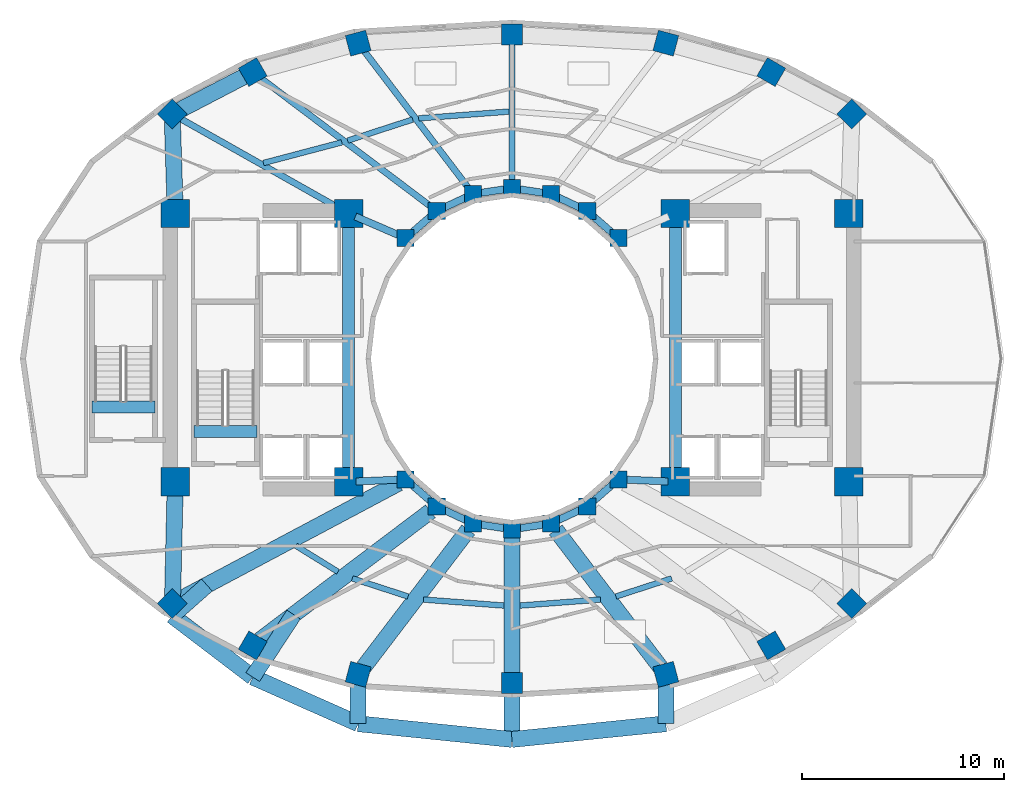
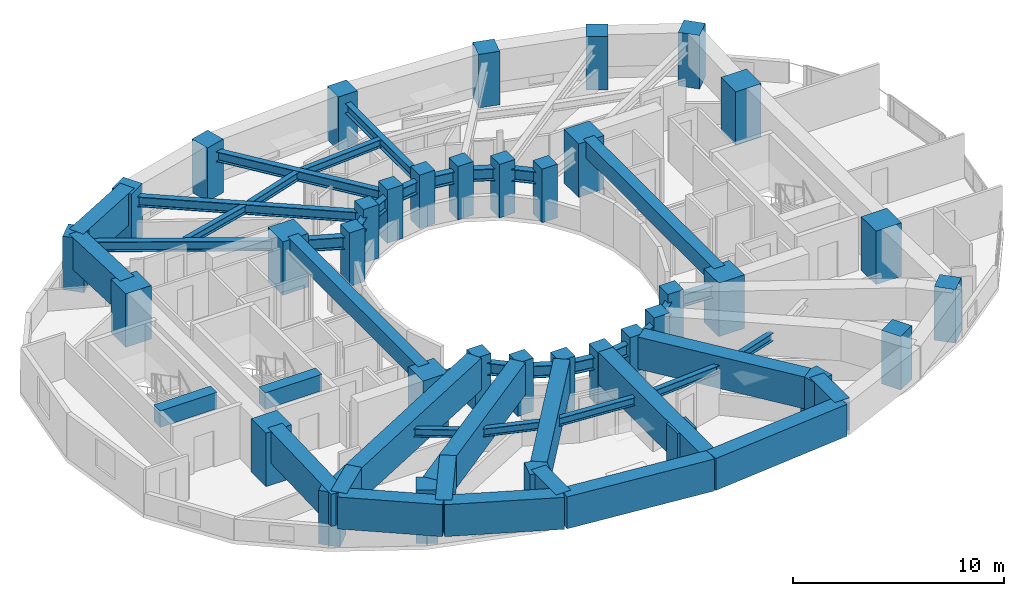
# One storey, part 1 of 14: 47 beams, 36 columns.
"""IFC4 building model written with IfcOpenShell, lengths in metres."""

from ifc_helpers import new_model, si_unit, direction, frame, origin, origin_2d, place, context, subcontext, project, spatial, rectangle, i_section, extrude, material, material_profile, profile_set, type_object, element, save


model = new_model("IFC4")

# Units and contexts
model_context = context("Model", 3, precision=1e-05, world=origin(), true_north=direction((0.0, 1.0)))
body_context = subcontext(model_context, "Body", "Model", "MODEL_VIEW")
ifc_project = project(units=[si_unit("LENGTHUNIT", "METRE"), si_unit("AREAUNIT", "SQUARE_METRE"), si_unit("VOLUMEUNIT", "CUBIC_METRE"), si_unit("PLANEANGLEUNIT", "RADIAN"), si_unit("MASSUNIT", "GRAM", prefix="KILO")], contexts=[model_context])

# Site, building, storey
site_placement = place(None, origin())
site = spatial("IfcSite", under=ifc_project, at=site_placement, CompositionType="ELEMENT")
building_placement = place(site_placement, origin())
building = spatial("IfcBuilding", under=site, at=building_placement, Name="Solvane Sanctuary Tower", CompositionType="ELEMENT")
storey_placement = place(building_placement, frame((0.0, 0.0, 91.800048828125)))
storey = spatial("IfcBuildingStorey", under=building, at=storey_placement, Name="L27", CompositionType="ELEMENT", Elevation=91.800048828125)

# Columns
ifc_material_1 = material(Name="Concrete C70/85", Category="concrete")
ifc_material_profile_1 = material_profile(ifc_material_1, rectangle(XDim=1.39990234375, YDim=1.39990234375, at=origin_2d()), Name="RC1400X1400")
ifc_profile_set_1 = profile_set([ifc_material_profile_1], Name="Concrete C70/85")
column_type_1 = type_object("IfcColumnType", Name="Column C-POD-INT RC1400X1400", PredefinedType="COLUMN", material=ifc_profile_set_1)
for number, where, z_axis, x_axis, name in (
    (1, (15.300048828125, 16.89990234375, 0.0), (0.0, 0.0, 1.0), (1.0, 0.0, 0.0), "L27 Core Corner Column CW1"),
    (2, (23.89990234375, 16.89990234375, 0.0), (0.0, 0.0, 1.0), (1.0, 0.0, 0.0), "L27 Core Corner Column CW2"),
    (3, (23.89990234375, 30.199951171875, 0.0), (0.0, 0.0, 1.0), (1.0, 0.0, 0.0), "L27 Core Corner Column CW3"),
    (4, (15.300048828125, 30.199951171875, 0.0), (0.0, 0.0, 1.0), (1.0, 0.0, 0.0), "L27 Core Corner Column CW4"),
    (5, (40.10009765625, 16.89990234375, 0.0), (0.0, 0.0, 1.0), (1.0, 0.0, 0.0), "L27 Core Corner Column CE1"),
    (6, (48.699951171875, 16.89990234375, 0.0), (0.0, 0.0, 1.0), (1.0, 0.0, 0.0), "L27 Core Corner Column CE2"),
    (7, (48.699951171875, 30.199951171875, 0.0), (0.0, 0.0, 1.0), (1.0, 0.0, 0.0), "L27 Core Corner Column CE3"),
    (8, (40.10009765625, 30.199951171875, 0.0), (0.0, 0.0, 1.0), (1.0, 0.0, 0.0), "L27 Core Corner Column CE4"),
):
    element("IfcColumn", number, at=place(storey_placement, frame(where, z_axis=z_axis, x_axis=x_axis)), inside=storey, type_object=column_type_1, Name=name, PredefinedType="COLUMN", context=body_context, shape_type="SweptSolid", body=[
        extrude(rectangle(XDim=1.39990234375, YDim=1.39990234375, at=origin_2d()), origin(), (0.0, 0.0, 1.0), 3.099853515625),
    ])
ifc_material_2 = material(Name="Concrete C60/75", Category="concrete")
ifc_material_profile_2 = material_profile(ifc_material_2, rectangle(XDim=0.85009765625, YDim=0.85009765625, at=origin_2d()), Name="RC850X850")
ifc_profile_set_2 = profile_set([ifc_material_profile_2], Name="Concrete C60/75")
column_type_2 = type_object("IfcColumnType", Name="Column C-RING-Z2 RC850X850", PredefinedType="COLUMN", material=ifc_profile_set_2)
for number, where, z_axis, x_axis, name in (
    (9, (37.27490234375, 28.982177734375, 0.0), (0.0, 0.0, 1.0), (1.0, 0.0, 0.0), "L27 Inner Light-Well Ring Column IC01"),
    (10, (35.72998046875, 30.32666015625, 0.0), (0.0, 0.0, 1.0), (1.0, 0.0, 0.0), "L27 Inner Light-Well Ring Column IC02"),
    (11, (33.930908203125, 31.171630859375, 0.0), (0.0, 0.0, 1.0), (1.0, 0.0, 0.0), "L27 Inner Light-Well Ring Column IC03"),
    (12, (32.0, 31.4599609375, 0.0), (0.0, 0.0, 1.0), (1.0, 0.0, 0.0), "L27 Inner Light-Well Ring Column IC04"),
    (13, (30.069091796875, 31.171630859375, 0.0), (0.0, 0.0, 1.0), (1.0, 0.0, 0.0), "L27 Inner Light-Well Ring Column IC05"),
    (14, (28.27001953125, 30.32666015625, 0.0), (0.0, 0.0, 1.0), (1.0, 0.0, 0.0), "L27 Inner Light-Well Ring Column IC06"),
    (15, (26.72509765625, 28.982177734375, 0.0), (0.0, 0.0, 1.0), (1.0, 0.0, 0.0), "L27 Inner Light-Well Ring Column IC07"),
    (16, (26.72509765625, 17.017822265625, 0.0), (0.0, 0.0, 1.0), (1.0, 0.0, 0.0), "L27 Inner Light-Well Ring Column IC08"),
    (17, (28.27001953125, 15.67333984375, 0.0), (0.0, 0.0, 1.0), (1.0, 0.0, 0.0), "L27 Inner Light-Well Ring Column IC09"),
    (18, (30.069091796875, 14.828369140625, 0.0), (0.0, 0.0, 1.0), (1.0, 0.0, 0.0), "L27 Inner Light-Well Ring Column IC10"),
    (19, (32.0, 14.5400390625, 0.0), (0.0, 0.0, 1.0), (1.0, 0.0, 0.0), "L27 Inner Light-Well Ring Column IC11"),
    (20, (33.930908203125, 14.828369140625, 0.0), (0.0, 0.0, 1.0), (1.0, 0.0, 0.0), "L27 Inner Light-Well Ring Column IC12"),
    (21, (35.72998046875, 15.67333984375, 0.0), (0.0, 0.0, 1.0), (1.0, 0.0, 0.0), "L27 Inner Light-Well Ring Column IC13"),
    (22, (37.27490234375, 17.017822265625, 0.0), (0.0, 0.0, 1.0), (1.0, 0.0, 0.0), "L27 Inner Light-Well Ring Column IC14"),
):
    element("IfcColumn", number, at=place(storey_placement, frame(where, z_axis=z_axis, x_axis=x_axis)), inside=storey, type_object=column_type_2, Name=name, PredefinedType="COLUMN", context=body_context, shape_type="SweptSolid", body=[
        extrude(rectangle(XDim=0.85009765625, YDim=0.85009765625, at=origin_2d()), origin(), (0.0, 0.0, 1.0), 3.099853515625),
    ])
ifc_material_profile_3 = material_profile(ifc_material_2, rectangle(XDim=1.050048828125, YDim=1.050048828125, at=origin_2d()), Name="RC1050X1050")
ifc_profile_set_3 = profile_set([ifc_material_profile_3], Name="Concrete C60/75")
column_type_3 = type_object("IfcColumnType", Name="Column C-TUBE-Z2 RC1050X1050", PredefinedType="COLUMN", material=ifc_profile_set_3)
for number, where, z_axis, x_axis, name in (
    (23, (48.85302734375, 35.13818359375, 0.0), (0.0, 0.0, 1.0), (0.707106781187, 0.707106781187, 0.0), "L27 Perimeter Tube Column TC01"),
    (24, (44.8583984375, 37.217529296875, 0.0), (0.0, 0.0, 1.0), (0.5, 0.866025403784, 0.0), "L27 Perimeter Tube Column TC02"),
    (25, (39.62939453125, 38.652099609375, 0.0), (0.0, 0.0, 1.0), (0.258819045103, 0.965925826289, 0.0), "L27 Perimeter Tube Column TC03"),
    (26, (32.0, 39.080078125, 0.0), (0.0, 0.0, 1.0), (0.0, 1.0, 0.0), "L27 Perimeter Tube Column TC04"),
    (27, (24.37060546875, 38.652099609375, 0.0), (0.0, 0.0, 1.0), (-0.258819045103, 0.965925826289, 0.0), "L27 Perimeter Tube Column TC05"),
    (28, (19.1416015625, 37.217529296875, 0.0), (0.0, 0.0, 1.0), (-0.5, 0.866025403784, 0.0), "L27 Perimeter Tube Column TC06"),
    (29, (15.14697265625, 35.13818359375, 0.0), (0.0, 0.0, 1.0), (-0.707106781187, 0.707106781187, 0.0), "L27 Perimeter Tube Column TC07"),
    (30, (15.14697265625, 10.86181640625, 0.0), (0.0, 0.0, 1.0), (-0.707106781187, -0.707106781187, 0.0), "L27 Perimeter Tube Column TC08"),
    (31, (19.1416015625, 8.782470703125, 0.0), (0.0, 0.0, 1.0), (-0.5, -0.866025403784, 0.0), "L27 Perimeter Tube Column TC09"),
    (32, (24.37060546875, 7.347900390625, 0.0), (0.0, 0.0, 1.0), (-0.258819045103, -0.965925826289, 0.0), "L27 Perimeter Tube Column TC10"),
    (33, (32.0, 6.919921875, 0.0), (0.0, 0.0, 1.0), (0.0, -1.0, 0.0), "L27 Perimeter Tube Column TC11"),
    (34, (39.62939453125, 7.347900390625, 0.0), (0.0, 0.0, 1.0), (0.258819045103, -0.965925826289, 0.0), "L27 Perimeter Tube Column TC12"),
    (35, (44.8583984375, 8.782470703125, 0.0), (0.0, 0.0, 1.0), (0.5, -0.866025403784, 0.0), "L27 Perimeter Tube Column TC13"),
    (36, (48.85302734375, 10.86181640625, 0.0), (0.0, 0.0, 1.0), (0.707106781187, -0.707106781187, 0.0), "L27 Perimeter Tube Column TC14"),
):
    element("IfcColumn", number, at=place(storey_placement, frame(where, z_axis=z_axis, x_axis=x_axis)), inside=storey, type_object=column_type_3, Name=name, PredefinedType="COLUMN", context=body_context, shape_type="SweptSolid", body=[
        extrude(rectangle(XDim=1.050048828125, YDim=1.050048828125, at=origin_2d()), origin(), (0.0, 0.0, 1.0), 3.099853515625),
    ])

# Beams
ifc_material_profile_4 = material_profile(ifc_material_1, rectangle(XDim=0.60009765625, YDim=0.949951171875, at=origin_2d()), Name="RC600X950")
ifc_profile_set_4 = profile_set([ifc_material_profile_4], Name="Concrete C70/85")
beam_type_1 = type_object("IfcBeamType", Name="Beam B-COUPLE RC600X950", PredefinedType="LINTEL", material=ifc_profile_set_4)
for number, where, z_axis, x_axis, name in (
    (37, (23.89990234375, 17.35009765625, 2.625), (0.0, 1.0, 0.0), (-1.0, 0.0, 0.0), "L27 West Core Coupling Lintel"),
    (38, (40.10009765625, 17.35009765625, 2.625), (0.0, 1.0, 0.0), (-1.0, 0.0, 0.0), "L27 East Core Coupling Lintel"),
):
    element("IfcBeam", number, at=place(storey_placement, frame(where, z_axis=z_axis, x_axis=x_axis)), inside=storey, type_object=beam_type_1, Name=name, PredefinedType="LINTEL", context=body_context, shape_type="SweptSolid", body=[
        extrude(rectangle(XDim=0.60009765625, YDim=0.949951171875, at=origin_2d()), origin(), (0.0, 0.0, 1.0), 12.39990234375),
    ])
for number, where, z_axis, x_axis, name in (
    (39, (16.22998046875, 19.399169921875, 2.625), (1.0, 0.0, 0.0), (0.0, 1.0, 0.0), "L27 ST-1 Stair Floor Landing Trimmer"),
    (40, (11.169921875, 20.59912109375, 2.625), (1.0, 0.0, 0.0), (0.0, 1.0, 0.0), "L27 ST-3 Stair Floor Landing Trimmer"),
):
    element("IfcBeam", number, at=place(storey_placement, frame(where, z_axis=z_axis, x_axis=x_axis)), inside=storey, type_object=beam_type_1, Name=name, PredefinedType="LINTEL", context=body_context, shape_type="SweptSolid", body=[
        extrude(rectangle(XDim=0.60009765625, YDim=0.949951171875, at=origin_2d()), origin(), (0.0, 0.0, 1.0), 3.1201171875),
    ])
ifc_material_3 = material(Name="Steel ASTM A992 Grade 50", Category="steel")
ifc_material_profile_5 = material_profile(ifc_material_3, i_section(OverallWidth=0.31494140625, OverallDepth=0.575927734375, WebThickness=0.01513671875, FlangeThickness=0.0244140625, FilletRadius=0.014892578125, at=origin_2d()), Name="W21X122")
ifc_profile_set_5 = profile_set([ifc_material_profile_5], Name="Steel ASTM A992 Grade 50")
beam_type_2 = type_object("IfcBeamType", Name="Beam B-RAD-Z2 W21X122", PredefinedType="BEAM", material=ifc_profile_set_5)
beam_1_placement = place(storey_placement, frame((32.0, 31.739990234375, 2.31005859375), z_axis=(0.0, 1.0, 0.0), x_axis=(-1.0, 0.0, 0.0)))
element("IfcBeam", 41, at=beam_1_placement, inside=storey, type_object=beam_type_2, Name="L27 Radial Composite Floor Beam 04", PredefinedType="BEAM", context=body_context, shape_type="SweptSolid", body=[
    extrude(i_section(OverallWidth=0.31494140625, OverallDepth=0.575927734375, WebThickness=0.01513671875, FlangeThickness=0.0244140625, FilletRadius=0.014892578125, at=origin_2d()), origin(), (0.0, 0.0, 1.0), 7.06005859375),
])
beam_2_placement = place(storey_placement, frame((29.8994140625, 31.394287109375, 2.31005859375), z_axis=(-0.605972515369, 0.795485581653, 0.0), x_axis=(-0.795485581653, -0.605972515369, 0.0)))
element("IfcBeam", 42, at=beam_2_placement, inside=storey, type_object=beam_type_2, Name="L27 Radial Composite Floor Beam 05", PredefinedType="BEAM", context=body_context, shape_type="SweptSolid", body=[
    extrude(i_section(OverallWidth=0.31494140625, OverallDepth=0.575927734375, WebThickness=0.01513671875, FlangeThickness=0.0244140625, FilletRadius=0.014892578125, at=origin_2d()), origin(), (0.0, 0.0, 1.0), 8.84375),
])
beam_3_placement = place(storey_placement, frame((28.04638671875, 30.495361328125, 2.31005859375), z_axis=(-0.798116040134, 0.602503764703, 0.0), x_axis=(-0.602503764703, -0.798116040134, 0.0)))
element("IfcBeam", 43, at=beam_3_placement, inside=storey, type_object=beam_type_2, Name="L27 Radial Composite Floor Beam 06", PredefinedType="BEAM", context=body_context, shape_type="SweptSolid", body=[
    extrude(i_section(OverallWidth=0.31494140625, OverallDepth=0.575927734375, WebThickness=0.01513671875, FlangeThickness=0.0244140625, FilletRadius=0.014892578125, at=origin_2d()), origin(), (0.0, 0.0, 1.0), 10.876953125),
])
beam_4_placement = place(storey_placement, frame((23.58642578125, 30.376953125, 2.31005859375), z_axis=(-0.870960247151, 0.491353485673, 0.0), x_axis=(-0.491353485673, -0.870960247151, 0.0)))
element("IfcBeam", 44, at=beam_4_placement, inside=storey, type_object=beam_type_2, Name="L27 Radial Composite Floor Beam 07", PredefinedType="BEAM", context=body_context, shape_type="SweptSolid", body=[
    extrude(i_section(OverallWidth=0.31494140625, OverallDepth=0.575927734375, WebThickness=0.01513671875, FlangeThickness=0.0244140625, FilletRadius=0.014892578125, at=origin_2d()), origin(), (0.0, 0.0, 1.0), 9.409912109375),
])
ifc_material_profile_6 = material_profile(ifc_material_3, i_section(OverallWidth=0.35498046875, OverallDepth=0.695068359375, WebThickness=0.015380859375, FlangeThickness=0.02490234375, FilletRadius=0.01806640625, at=origin_2d()), Name="W27X146")
ifc_profile_set_6 = profile_set([ifc_material_profile_6], Name="Steel ASTM A992 Grade 50")
beam_type_3 = type_object("IfcBeamType", Name="Beam B-RING-IN1 W27X146", PredefinedType="BEAM", material=ifc_profile_set_6)
beam_5_placement = place(storey_placement, frame((24.230712890625, 30.0576171875, 2.25048828125), z_axis=(0.918261456479, -0.3959746173, 0.0), x_axis=(0.3959746173, 0.918261456479, 0.0)))
element("IfcBeam", 45, at=beam_5_placement, inside=storey, type_object=beam_type_3, Name="L27 Inner Light-Well Ring Beam CW3-IC07", PredefinedType="BEAM", context=body_context, shape_type="SweptSolid", body=[
    extrude(i_section(OverallWidth=0.35498046875, OverallDepth=0.695068359375, WebThickness=0.015380859375, FlangeThickness=0.02490234375, FilletRadius=0.01806640625, at=origin_2d()), origin(), (0.0, 0.0, 1.0), 2.3212890625),
])
beam_6_placement = place(storey_placement, frame((27.02294921875, 29.241455078125, 2.25048828125), z_axis=(0.754317177099, 0.656510164684, 0.0), x_axis=(-0.656510164684, 0.754317177099, 0.0)))
element("IfcBeam", 46, at=beam_6_placement, inside=storey, type_object=beam_type_3, Name="L27 Inner Light-Well Ring Beam IC07-IC06", PredefinedType="BEAM", context=body_context, shape_type="SweptSolid", body=[
    extrude(i_section(OverallWidth=0.35498046875, OverallDepth=0.695068359375, WebThickness=0.015380859375, FlangeThickness=0.02490234375, FilletRadius=0.01806640625, at=origin_2d()), origin(), (0.0, 0.0, 1.0), 1.258056640625),
])
beam_7_placement = place(storey_placement, frame((28.62744140625, 30.494384765625, 2.25048828125), z_axis=(0.905044882818, 0.425316070804, 0.0), x_axis=(-0.425316070804, 0.905044882818, 0.0)))
element("IfcBeam", 47, at=beam_7_placement, inside=storey, type_object=beam_type_3, Name="L27 Inner Light-Well Ring Beam IC06-IC05", PredefinedType="BEAM", context=body_context, shape_type="SweptSolid", body=[
    extrude(i_section(OverallWidth=0.35498046875, OverallDepth=0.695068359375, WebThickness=0.015380859375, FlangeThickness=0.02490234375, FilletRadius=0.01806640625, at=origin_2d()), origin(), (0.0, 0.0, 1.0), 1.197998046875),
])
for number, where, z_axis, x_axis, name in (
    (48, (30.4599609375, 31.22998046875, 2.25048828125), (0.989034751611, 0.147682971619, 0.0), (-0.147682971619, 0.989034751611, 0.0), "L27 Inner Light-Well Ring Beam IC05-IC04"),
    (49, (32.390625, 31.401611328125, 2.25048828125), (0.989034751611, -0.147682971619, 0.0), (0.147682971619, 0.989034751611, 0.0), "L27 Inner Light-Well Ring Beam IC04-IC03"),
):
    element("IfcBeam", number, at=place(storey_placement, frame(where, z_axis=z_axis, x_axis=x_axis)), inside=storey, type_object=beam_type_3, Name=name, PredefinedType="BEAM", context=body_context, shape_type="SweptSolid", body=[
        extrude(i_section(OverallWidth=0.35498046875, OverallDepth=0.695068359375, WebThickness=0.015380859375, FlangeThickness=0.02490234375, FilletRadius=0.01806640625, at=origin_2d()), origin(), (0.0, 0.0, 1.0), 1.162109375),
    ])
beam_8_placement = place(storey_placement, frame((34.288330078125, 31.00390625, 2.25048828125), z_axis=(0.905044882818, -0.425316070804, 0.0), x_axis=(0.425316070804, 0.905044882818, 0.0)))
element("IfcBeam", 50, at=beam_8_placement, inside=storey, type_object=beam_type_3, Name="L27 Inner Light-Well Ring Beam IC03-IC02", PredefinedType="BEAM", context=body_context, shape_type="SweptSolid", body=[
    extrude(i_section(OverallWidth=0.35498046875, OverallDepth=0.695068359375, WebThickness=0.015380859375, FlangeThickness=0.02490234375, FilletRadius=0.01806640625, at=origin_2d()), origin(), (0.0, 0.0, 1.0), 1.197998046875),
])
beam_9_placement = place(storey_placement, frame((36.028076171875, 30.0673828125, 2.25048828125), z_axis=(0.754317177099, -0.656510164684, 0.0), x_axis=(0.656510164684, 0.754317177099, 0.0)))
element("IfcBeam", 51, at=beam_9_placement, inside=storey, type_object=beam_type_3, Name="L27 Inner Light-Well Ring Beam IC02-IC01", PredefinedType="BEAM", context=body_context, shape_type="SweptSolid", body=[
    extrude(i_section(OverallWidth=0.35498046875, OverallDepth=0.695068359375, WebThickness=0.015380859375, FlangeThickness=0.02490234375, FilletRadius=0.01806640625, at=origin_2d()), origin(), (0.0, 0.0, 1.0), 1.258056640625),
])
beam_10_placement = place(storey_placement, frame((24.259765625, 16.9150390625, 2.25048828125), z_axis=(0.999130007788, 0.041704047018, 0.0), x_axis=(-0.041704047018, 0.999130007788, 0.0)))
element("IfcBeam", 52, at=beam_10_placement, inside=storey, type_object=beam_type_3, Name="L27 Inner Light-Well Ring Beam CW2-IC08", PredefinedType="BEAM", context=body_context, shape_type="SweptSolid", body=[
    extrude(i_section(OverallWidth=0.35498046875, OverallDepth=0.695068359375, WebThickness=0.015380859375, FlangeThickness=0.02490234375, FilletRadius=0.01806640625, at=origin_2d()), origin(), (0.0, 0.0, 1.0), 2.072265625),
])
beam_11_placement = place(storey_placement, frame((27.02294921875, 16.758544921875, 2.25048828125), z_axis=(0.754317177099, -0.656510164684, 0.0), x_axis=(0.656510164684, 0.754317177099, 0.0)))
element("IfcBeam", 53, at=beam_11_placement, inside=storey, type_object=beam_type_3, Name="L27 Inner Light-Well Ring Beam IC08-IC09", PredefinedType="BEAM", context=body_context, shape_type="SweptSolid", body=[
    extrude(i_section(OverallWidth=0.35498046875, OverallDepth=0.695068359375, WebThickness=0.015380859375, FlangeThickness=0.02490234375, FilletRadius=0.01806640625, at=origin_2d()), origin(), (0.0, 0.0, 1.0), 1.258056640625),
])
beam_12_placement = place(storey_placement, frame((28.62744140625, 15.505615234375, 2.25048828125), z_axis=(0.905044882818, -0.425316070804, 0.0), x_axis=(0.425316070804, 0.905044882818, 0.0)))
element("IfcBeam", 54, at=beam_12_placement, inside=storey, type_object=beam_type_3, Name="L27 Inner Light-Well Ring Beam IC09-IC10", PredefinedType="BEAM", context=body_context, shape_type="SweptSolid", body=[
    extrude(i_section(OverallWidth=0.35498046875, OverallDepth=0.695068359375, WebThickness=0.015380859375, FlangeThickness=0.02490234375, FilletRadius=0.01806640625, at=origin_2d()), origin(), (0.0, 0.0, 1.0), 1.197998046875),
])
for number, where, z_axis, x_axis, name in (
    (55, (30.4599609375, 14.77001953125, 2.25048828125), (0.989034751611, -0.147682971619, 0.0), (0.147682971619, 0.989034751611, 0.0), "L27 Inner Light-Well Ring Beam IC10-IC11"),
    (56, (32.390625, 14.598388671875, 2.25048828125), (0.989034751611, 0.147682971619, 0.0), (-0.147682971619, 0.989034751611, 0.0), "L27 Inner Light-Well Ring Beam IC11-IC12"),
):
    element("IfcBeam", number, at=place(storey_placement, frame(where, z_axis=z_axis, x_axis=x_axis)), inside=storey, type_object=beam_type_3, Name=name, PredefinedType="BEAM", context=body_context, shape_type="SweptSolid", body=[
        extrude(i_section(OverallWidth=0.35498046875, OverallDepth=0.695068359375, WebThickness=0.015380859375, FlangeThickness=0.02490234375, FilletRadius=0.01806640625, at=origin_2d()), origin(), (0.0, 0.0, 1.0), 1.162109375),
    ])
beam_13_placement = place(storey_placement, frame((34.288330078125, 14.99609375, 2.25048828125), z_axis=(0.905044882818, 0.425316070804, 0.0), x_axis=(-0.425316070804, 0.905044882818, 0.0)))
element("IfcBeam", 57, at=beam_13_placement, inside=storey, type_object=beam_type_3, Name="L27 Inner Light-Well Ring Beam IC12-IC13", PredefinedType="BEAM", context=body_context, shape_type="SweptSolid", body=[
    extrude(i_section(OverallWidth=0.35498046875, OverallDepth=0.695068359375, WebThickness=0.015380859375, FlangeThickness=0.02490234375, FilletRadius=0.01806640625, at=origin_2d()), origin(), (0.0, 0.0, 1.0), 1.197998046875),
])
beam_14_placement = place(storey_placement, frame((36.028076171875, 15.9326171875, 2.25048828125), z_axis=(0.754317177099, 0.656510164684, 0.0), x_axis=(-0.656510164684, 0.754317177099, 0.0)))
element("IfcBeam", 58, at=beam_14_placement, inside=storey, type_object=beam_type_3, Name="L27 Inner Light-Well Ring Beam IC13-IC14", PredefinedType="BEAM", context=body_context, shape_type="SweptSolid", body=[
    extrude(i_section(OverallWidth=0.35498046875, OverallDepth=0.695068359375, WebThickness=0.015380859375, FlangeThickness=0.02490234375, FilletRadius=0.01806640625, at=origin_2d()), origin(), (0.0, 0.0, 1.0), 1.258056640625),
])
beam_15_placement = place(storey_placement, frame((37.669677734375, 17.00146484375, 2.25048828125), z_axis=(0.999130007788, -0.041704047018, 0.0), x_axis=(0.041704047018, 0.999130007788, 0.0)))
element("IfcBeam", 59, at=beam_15_placement, inside=storey, type_object=beam_type_3, Name="L27 Inner Light-Well Ring Beam IC14-CE1", PredefinedType="BEAM", context=body_context, shape_type="SweptSolid", body=[
    extrude(i_section(OverallWidth=0.35498046875, OverallDepth=0.695068359375, WebThickness=0.015380859375, FlangeThickness=0.02490234375, FilletRadius=0.01806640625, at=origin_2d()), origin(), (0.0, 0.0, 1.0), 2.072265625),
])
ifc_material_profile_7 = material_profile(ifc_material_3, i_section(OverallWidth=0.280029296875, OverallDepth=0.462890625, WebThickness=0.0107421875, FlangeThickness=0.017333984375, FilletRadius=0.013916015625, at=origin_2d()), Name="W18X76")
ifc_profile_set_7 = profile_set([ifc_material_profile_7], Name="Steel ASTM A992 Grade 50")
beam_type_4 = type_object("IfcBeamType", Name="Beam B-SEC-JOIST W18X76", PredefinedType="JOIST", material=ifc_profile_set_7)
beam_16_placement = place(storey_placement, frame((19.6708984375, 32.7080078125, 2.366455078125), z_axis=(0.966943832831, 0.2549894589, 0.0), x_axis=(-0.2549894589, 0.966943832831, 0.0)))
element("IfcBeam", 60, at=beam_16_placement, inside=storey, type_object=beam_type_4, Name="L27 Secondary Circumferential Joist 07-06", PredefinedType="JOIST", context=body_context, shape_type="SweptSolid", body=[
    extrude(i_section(OverallWidth=0.280029296875, OverallDepth=0.462890625, WebThickness=0.0107421875, FlangeThickness=0.017333984375, FilletRadius=0.013916015625, at=origin_2d()), origin(), (0.0, 0.0, 1.0), 4.020263671875),
])
beam_17_placement = place(storey_placement, frame((23.850830078125, 33.819091796875, 2.366455078125), z_axis=(0.951216534175, 0.308524075416, 0.0), x_axis=(-0.308524075416, 0.951216534175, 0.0)))
element("IfcBeam", 61, at=beam_17_placement, inside=storey, type_object=beam_type_4, Name="L27 Secondary Circumferential Joist 06-05", PredefinedType="JOIST", context=body_context, shape_type="SweptSolid", body=[
    extrude(i_section(OverallWidth=0.280029296875, OverallDepth=0.462890625, WebThickness=0.0107421875, FlangeThickness=0.017333984375, FilletRadius=0.013916015625, at=origin_2d()), origin(), (0.0, 0.0, 1.0), 3.38916015625),
])
beam_18_placement = place(storey_placement, frame((27.3720703125, 34.92333984375, 2.366455078125), z_axis=(0.997207316227, 0.074683120339, 0.0), x_axis=(-0.074683120339, 0.997207316227, 0.0)))
element("IfcBeam", 62, at=beam_18_placement, inside=storey, type_object=beam_type_4, Name="L27 Secondary Circumferential Joist 05-04", PredefinedType="JOIST", context=body_context, shape_type="SweptSolid", body=[
    extrude(i_section(OverallWidth=0.280029296875, OverallDepth=0.462890625, WebThickness=0.0107421875, FlangeThickness=0.017333984375, FilletRadius=0.013916015625, at=origin_2d()), origin(), (0.0, 0.0, 1.0), 4.48828125),
])
beam_19_placement = place(storey_placement, frame((21.27197265625, 13.732177734375, 2.366455078125), z_axis=(0.850640451739, -0.525747869101, 0.0), x_axis=(0.525747869101, 0.850640451739, 0.0)))
element("IfcBeam", 63, at=beam_19_placement, inside=storey, type_object=beam_type_4, Name="L27 Secondary Circumferential Joist 08-09", PredefinedType="JOIST", context=body_context, shape_type="SweptSolid", body=[
    extrude(i_section(OverallWidth=0.280029296875, OverallDepth=0.462890625, WebThickness=0.0107421875, FlangeThickness=0.017333984375, FilletRadius=0.013916015625, at=origin_2d()), origin(), (0.0, 0.0, 1.0), 2.46630859375),
])
beam_20_placement = place(storey_placement, frame((24.08154296875, 12.10595703125, 2.366455078125), z_axis=(0.951224152345, -0.308500586701, 0.0), x_axis=(0.308500586701, 0.951224152345, 0.0)))
element("IfcBeam", 64, at=beam_20_placement, inside=storey, type_object=beam_type_4, Name="L27 Secondary Circumferential Joist 09-10", PredefinedType="JOIST", context=body_context, shape_type="SweptSolid", body=[
    extrude(i_section(OverallWidth=0.280029296875, OverallDepth=0.462890625, WebThickness=0.0107421875, FlangeThickness=0.017333984375, FilletRadius=0.013916015625, at=origin_2d()), origin(), (0.0, 0.0, 1.0), 2.904296875),
])
for number, where, z_axis, x_axis, name in (
    (65, (27.61376953125, 11.05859375, 2.366455078125), (0.997206014057, -0.074700505548, 0.0), (0.074700505548, 0.997206014057, 0.0), "L27 Secondary Circumferential Joist 10-11"),
    (66, (32.393798828125, 10.759521484375, 2.366455078125), (0.997206014057, 0.074700505548, 0.0), (-0.074700505548, 0.997206014057, 0.0), "L27 Secondary Circumferential Joist 11-12"),
):
    element("IfcBeam", number, at=place(storey_placement, frame(where, z_axis=z_axis, x_axis=x_axis)), inside=storey, type_object=beam_type_4, Name=name, PredefinedType="JOIST", context=body_context, shape_type="SweptSolid", body=[
        extrude(i_section(OverallWidth=0.280029296875, OverallDepth=0.462890625, WebThickness=0.0107421875, FlangeThickness=0.017333984375, FilletRadius=0.013916015625, at=origin_2d()), origin(), (0.0, 0.0, 1.0), 4.003662109375),
    ])
beam_21_placement = place(storey_placement, frame((37.15576171875, 11.2099609375, 2.366455078125), z_axis=(0.951224152345, 0.308500586701, 0.0), x_axis=(-0.308500586701, 0.951224152345, 0.0)))
element("IfcBeam", 67, at=beam_21_placement, inside=storey, type_object=beam_type_4, Name="L27 Secondary Circumferential Joist 12-13", PredefinedType="JOIST", context=body_context, shape_type="SweptSolid", body=[
    extrude(i_section(OverallWidth=0.280029296875, OverallDepth=0.462890625, WebThickness=0.0107421875, FlangeThickness=0.017333984375, FilletRadius=0.013916015625, at=origin_2d()), origin(), (0.0, 0.0, 1.0), 2.904296875),
])
ifc_material_profile_8 = material_profile(ifc_material_1, rectangle(XDim=0.800048828125, YDim=1.85009765625, at=origin_2d()), Name="RC800X1850")
ifc_profile_set_8 = profile_set([ifc_material_profile_8], Name="Concrete C70/85")
beam_type_5 = type_object("IfcBeamType", Name="Beam B-XFER-BLK RC800X1850", PredefinedType="BEAM", material=ifc_profile_set_8)
beam_22_placement = place(storey_placement, frame((26.376220703125, 16.83251953125, 2.175048828125), z_axis=(-0.882951343318, -0.469464509131, 0.0), x_axis=(0.469464509131, -0.882951343318, 0.0)))
element("IfcBeam", 68, at=beam_22_placement, inside=storey, type_object=beam_type_5, Name="L27 Block-Shift Radial Transfer Girder 08A", PredefinedType="BEAM", context=body_context, shape_type="SweptSolid", body=[
    extrude(rectangle(XDim=0.800048828125, YDim=1.85009765625, at=origin_2d()), origin(), (0.0, 0.0, 1.0), 12.27294921875),
])
beam_23_placement = place(storey_placement, frame((16.868896484375, 11.77734375, 2.175048828125), z_axis=(-0.749639309697, -0.661846587478, 0.0), x_axis=(0.661846587478, -0.749639309697, 0.0)))
element("IfcBeam", 69, at=beam_23_placement, inside=storey, type_object=beam_type_5, Name="L27 Block-Shift Transfer Tie 08B", PredefinedType="BEAM", context=body_context, shape_type="SweptSolid", body=[
    extrude(rectangle(XDim=0.800048828125, YDim=1.85009765625, at=origin_2d()), origin(), (0.0, 0.0, 1.0), 2.297119140625),
])
beam_24_placement = place(storey_placement, frame((27.95458984375, 15.435302734375, 2.175048828125), z_axis=(-0.798118916751, -0.602499954128, 0.0), x_axis=(0.602499954128, -0.798118916751, 0.0)))
element("IfcBeam", 70, at=beam_24_placement, inside=storey, type_object=beam_type_5, Name="L27 Block-Shift Radial Transfer Girder 09A", PredefinedType="BEAM", context=body_context, shape_type="SweptSolid", body=[
    extrude(rectangle(XDim=0.800048828125, YDim=1.85009765625, at=origin_2d()), origin(), (0.0, 0.0, 1.0), 10.59716796875),
])
beam_25_placement = place(storey_placement, frame((21.169921875, 10.313720703125, 2.175048828125), z_axis=(-0.54753166112, -0.836784966447, 0.0), x_axis=(0.836784966447, -0.54753166112, 0.0)))
element("IfcBeam", 71, at=beam_25_placement, inside=storey, type_object=beam_type_5, Name="L27 Block-Shift Transfer Tie 09B", PredefinedType="BEAM", context=body_context, shape_type="SweptSolid", body=[
    extrude(rectangle(XDim=0.800048828125, YDim=1.85009765625, at=origin_2d()), origin(), (0.0, 0.0, 1.0), 3.70458984375),
])
beam_26_placement = place(storey_placement, frame((29.829833984375, 14.51416015625, 2.175048828125), z_axis=(-0.605981369549, -0.795478836777, 0.0), x_axis=(0.795478836777, -0.605981369549, 0.0)))
element("IfcBeam", 72, at=beam_26_placement, inside=storey, type_object=beam_type_5, Name="L27 Block-Shift Radial Transfer Girder 10A", PredefinedType="BEAM", context=body_context, shape_type="SweptSolid", body=[
    extrude(rectangle(XDim=0.800048828125, YDim=1.85009765625, at=origin_2d()), origin(), (0.0, 0.0, 1.0), 8.563720703125),
])
beam_27_placement = place(storey_placement, frame((24.37060546875, 7.2978515625, 2.175048828125), z_axis=(0.0, -1.0, 0.0), x_axis=(1.0, 0.0, 0.0)))
element("IfcBeam", 73, at=beam_27_placement, inside=storey, type_object=beam_type_5, Name="L27 Block-Shift Transfer Tie 10B", PredefinedType="BEAM", context=body_context, shape_type="SweptSolid", body=[
    extrude(rectangle(XDim=0.800048828125, YDim=1.85009765625, at=origin_2d()), origin(), (0.0, 0.0, 1.0), 2.39794921875),
])
beam_28_placement = place(storey_placement, frame((32.0, 14.14501953125, 2.175048828125), z_axis=(0.0, -1.0, 0.0), x_axis=(1.0, 0.0, 0.0)))
element("IfcBeam", 74, at=beam_28_placement, inside=storey, type_object=beam_type_5, Name="L27 Block-Shift Radial Transfer Girder 11A", PredefinedType="BEAM", context=body_context, shape_type="SweptSolid", body=[
    extrude(rectangle(XDim=0.800048828125, YDim=1.85009765625, at=origin_2d()), origin(), (0.0, 0.0, 1.0), 10.02490234375),
])
beam_29_placement = place(storey_placement, frame((34.170166015625, 14.51416015625, 2.175048828125), z_axis=(0.605981369549, -0.795478836777, 0.0), x_axis=(0.795478836777, 0.605981369549, 0.0)))
element("IfcBeam", 75, at=beam_29_placement, inside=storey, type_object=beam_type_5, Name="L27 Block-Shift Radial Transfer Girder 12A", PredefinedType="BEAM", context=body_context, shape_type="SweptSolid", body=[
    extrude(rectangle(XDim=0.800048828125, YDim=1.85009765625, at=origin_2d()), origin(), (0.0, 0.0, 1.0), 8.563720703125),
])
beam_30_placement = place(storey_placement, frame((39.62939453125, 7.2978515625, 2.175048828125), z_axis=(0.0, -1.0, 0.0), x_axis=(1.0, 0.0, 0.0)))
element("IfcBeam", 76, at=beam_30_placement, inside=storey, type_object=beam_type_5, Name="L27 Block-Shift Transfer Tie 12B", PredefinedType="BEAM", context=body_context, shape_type="SweptSolid", body=[
    extrude(rectangle(XDim=0.800048828125, YDim=1.85009765625, at=origin_2d()), origin(), (0.0, 0.0, 1.0), 2.39794921875),
])
beam_31_placement = place(storey_placement, frame((15.288818359375, 30.559814453125, 2.175048828125), z_axis=(-0.030966851139, 0.999520412063, 0.0), x_axis=(-0.999520412063, -0.030966851139, 0.0)))
element("IfcBeam", 77, at=beam_31_placement, inside=storey, type_object=beam_type_5, Name="L27 Perimeter Step Transfer Ring CW4-NTC07", PredefinedType="BEAM", context=body_context, shape_type="SweptSolid", body=[
    extrude(rectangle(XDim=0.800048828125, YDim=1.85009765625, at=origin_2d()), origin(), (0.0, 0.0, 1.0), 4.58056640625),
])
beam_32_placement = place(storey_placement, frame((15.14697265625, 35.13818359375, 2.175048828125), z_axis=(0.887022336415, 0.46172651505, 0.0), x_axis=(-0.46172651505, 0.887022336415, 0.0)))
element("IfcBeam", 78, at=beam_32_placement, inside=storey, type_object=beam_type_5, Name="L27 Perimeter Step Transfer Ring NTC07-NTC06", PredefinedType="BEAM", context=body_context, shape_type="SweptSolid", body=[
    extrude(rectangle(XDim=0.800048828125, YDim=1.85009765625, at=origin_2d()), origin(), (0.0, 0.0, 1.0), 4.50341796875),
])
beam_33_placement = place(storey_placement, frame((15.291748046875, 16.5400390625, 2.175048828125), z_axis=(-0.023036434167, -0.999734626139, 0.0), x_axis=(0.999734626139, -0.023036434167, 0.0)))
element("IfcBeam", 79, at=beam_33_placement, inside=storey, type_object=beam_type_5, Name="L27 Perimeter Step Transfer Ring CW1-NTC08", PredefinedType="BEAM", context=body_context, shape_type="SweptSolid", body=[
    extrude(rectangle(XDim=0.800048828125, YDim=1.85009765625, at=origin_2d()), origin(), (0.0, 0.0, 1.0), 6.28466796875),
])
beam_34_placement = place(storey_placement, frame((15.14697265625, 10.257080078125, 2.175048828125), z_axis=(0.795461851464, -0.606003665719, 0.0), x_axis=(0.606003665719, 0.795461851464, 0.0)))
element("IfcBeam", 80, at=beam_34_placement, inside=storey, type_object=beam_type_5, Name="L27 Perimeter Step Transfer Ring NTC08-NTC09", PredefinedType="BEAM", context=body_context, shape_type="SweptSolid", body=[
    extrude(rectangle(XDim=0.800048828125, YDim=1.85009765625, at=origin_2d()), origin(), (0.0, 0.0, 1.0), 5.021728515625),
])
beam_35_placement = place(storey_placement, frame((19.1416015625, 7.2138671875, 2.175048828125), z_axis=(0.914461816427, -0.404672196101, 0.0), x_axis=(0.404672196101, 0.914461816427, 0.0)))
element("IfcBeam", 81, at=beam_35_placement, inside=storey, type_object=beam_type_5, Name="L27 Perimeter Step Transfer Ring NTC09-NTC10", PredefinedType="BEAM", context=body_context, shape_type="SweptSolid", body=[
    extrude(rectangle(XDim=0.800048828125, YDim=1.85009765625, at=origin_2d()), origin(), (0.0, 0.0, 1.0), 5.718017578125),
])
for number, where, z_axis, x_axis, name in (
    (82, (24.37060546875, 4.89990234375, 2.175048828125), (0.994817332657, -0.101678289936, 0.0), (0.101678289936, 0.994817332657, 0.0), "L27 Perimeter Step Transfer Ring NTC10-NTC11"),
    (83, (32.0, 4.1201171875, 2.175048828125), (0.994817332657, 0.101678289936, 0.0), (-0.101678289936, 0.994817332657, 0.0), "L27 Perimeter Step Transfer Ring NTC11-NTC12"),
):
    element("IfcBeam", number, at=place(storey_placement, frame(where, z_axis=z_axis, x_axis=x_axis)), inside=storey, type_object=beam_type_5, Name=name, PredefinedType="BEAM", context=body_context, shape_type="SweptSolid", body=[
        extrude(rectangle(XDim=0.800048828125, YDim=1.85009765625, at=origin_2d()), origin(), (0.0, 0.0, 1.0), 7.669189453125),
    ])

save(model, "model.ifc")
